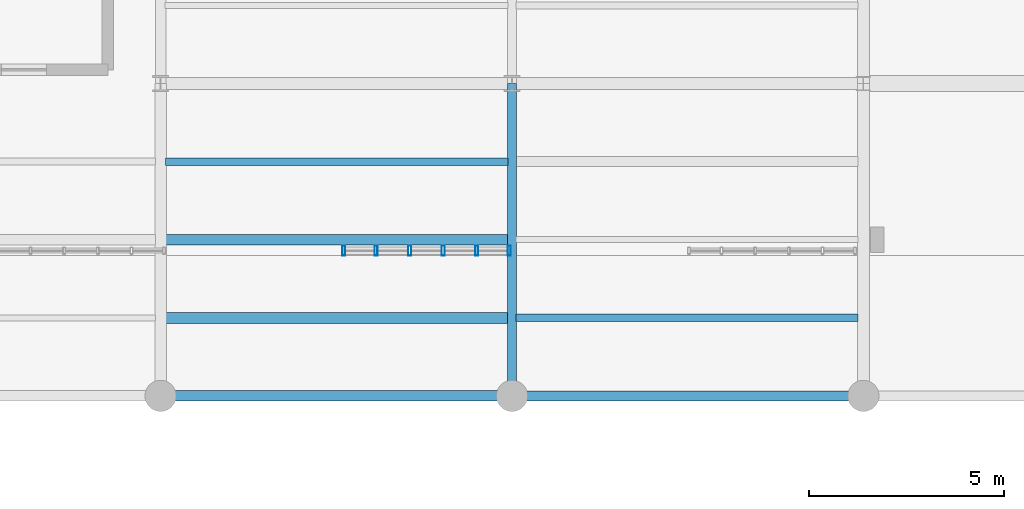
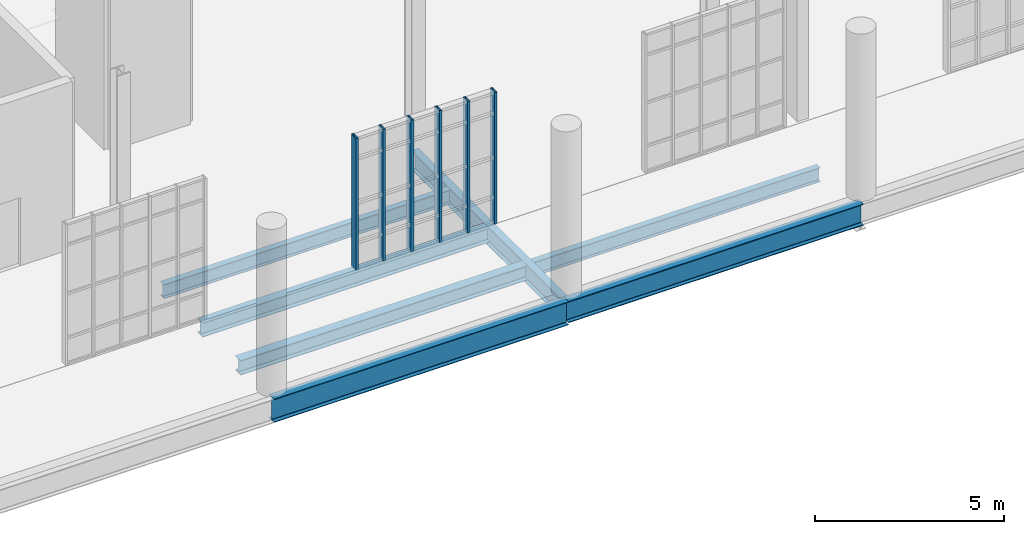
# One storey, part 103 of 189: 7 beams, 6 members, 1 element without a shape of its own.
"""IFC4 building model written with IfcOpenShell, lengths in metres."""

from ifc_helpers import new_model, si_unit, direction, frame, origin, origin_2d, place, context, subcontext, project, spatial, hollow_rectangle, i_section, extrude, material, layer, layer_set, material_profile, profile_set, type_object, element, aggregate, save


model = new_model("IFC4")

# Units and contexts
model_context = context("Model", 3, precision=1e-05, world=origin(), true_north=direction((0.0, 1.0)))
body_context = subcontext(model_context, "Body", "Model", "MODEL_VIEW")
ifc_project = project(units=[si_unit("LENGTHUNIT", "METRE"), si_unit("AREAUNIT", "SQUARE_METRE"), si_unit("VOLUMEUNIT", "CUBIC_METRE"), si_unit("PLANEANGLEUNIT", "RADIAN"), si_unit("MASSUNIT", "GRAM", prefix="KILO"), si_unit("THERMODYNAMICTEMPERATUREUNIT", "KELVIN"), si_unit("POWERUNIT", "WATT")], contexts=[model_context])

# Site, building, storey
site_placement = place(None, origin())
site = spatial("IfcSite", under=ifc_project, at=site_placement, CompositionType="ELEMENT")
building_placement = place(site_placement, origin())
building = spatial("IfcBuilding", under=site, at=building_placement, Name="Zelmaris Science Centre", CompositionType="ELEMENT")
storey_placement = place(building_placement, origin())
storey = spatial("IfcBuildingStorey", under=building, at=storey_placement, Name="L00", CompositionType="ELEMENT", Elevation=0.0)

# Curtain wall, members
ifc_material_1 = material(Name="Anodised architectural aluminium 6063-T6", Category="aluminium")
ifc_layer = layer(ifc_material_1, 0.18994140625, Name="Anodised architectural aluminium 6063-T6")
ifc_layer_set = layer_set([ifc_layer], Name="Anodised architectural aluminium 6063-T6")
curtain_wall_type = type_object("IfcCurtainWallType", Name="Curtain Wall CW-01", PredefinedType="USERDEFINED", material=ifc_layer_set)
curtain_wall_placement = place(storey_placement, origin())
curtain_wall = element("IfcCurtainWall", 1, at=curtain_wall_placement, inside=storey, type_object=curtain_wall_type, Name="L00 Unitised curtain wall 105", ObjectType="GLAZED CURTAIN WALL", PredefinedType="USERDEFINED")
ifc_material_profile_1 = material_profile(ifc_material_1, hollow_rectangle(XDim=0.080078125, YDim=0.25, WallThickness=0.0048828125, at=origin_2d()), Name="ALU-MUL-80X250")
ifc_profile_set_1 = profile_set([ifc_material_profile_1], Name="Anodised architectural aluminium 6063-T6")
member_type = type_object("IfcMemberType", Name="ALU-MUL-80X250", PredefinedType="MULLION", material=ifc_profile_set_1)
member_1_placement = place(storey_placement, frame((134.926513671875, 11.72021484375, -0.014892578125), z_axis=(0.0, 0.0, 1.0), x_axis=(-1.0, 0.0, 0.0)))
member_1 = element("IfcMember", 2, at=member_1_placement, type_object=member_type, Name="CW-01 mullion 1", PredefinedType="MULLION", context=body_context, shape_type="SweptSolid", body=[
    extrude(hollow_rectangle(XDim=0.080078125, YDim=0.25, WallThickness=0.0048828125, at=origin_2d()), origin(), (0.0, 0.0, 1.0), 4.2587890625),
])
member_2_placement = place(storey_placement, frame((134.101806640625, 11.72021484375, -0.014892578125), z_axis=(0.0, 0.0, 1.0), x_axis=(-1.0, 0.0, 0.0)))
member_2 = element("IfcMember", 3, at=member_2_placement, type_object=member_type, Name="CW-01 mullion 2", PredefinedType="MULLION", context=body_context, shape_type="SweptSolid", body=[
    extrude(hollow_rectangle(XDim=0.080078125, YDim=0.25, WallThickness=0.0048828125, at=origin_2d()), origin(), (0.0, 0.0, 1.0), 4.2587890625),
])
member_3_placement = place(storey_placement, frame((133.240966796875, 11.72021484375, -0.014892578125), z_axis=(0.0, 0.0, 1.0), x_axis=(-1.0, 0.0, 0.0)))
member_3 = element("IfcMember", 4, at=member_3_placement, type_object=member_type, Name="CW-01 mullion 3", PredefinedType="MULLION", context=body_context, shape_type="SweptSolid", body=[
    extrude(hollow_rectangle(XDim=0.080078125, YDim=0.25, WallThickness=0.0048828125, at=origin_2d()), origin(), (0.0, 0.0, 1.0), 4.2587890625),
])
member_4_placement = place(storey_placement, frame((132.38037109375, 11.72021484375, -0.014892578125), z_axis=(0.0, 0.0, 1.0), x_axis=(-1.0, 0.0, 0.0)))
member_4 = element("IfcMember", 5, at=member_4_placement, type_object=member_type, Name="CW-01 mullion 4", PredefinedType="MULLION", context=body_context, shape_type="SweptSolid", body=[
    extrude(hollow_rectangle(XDim=0.080078125, YDim=0.25, WallThickness=0.0048828125, at=origin_2d()), origin(), (0.0, 0.0, 1.0), 4.2587890625),
])
member_5_placement = place(storey_placement, frame((131.51953125, 11.72021484375, -0.014892578125), z_axis=(0.0, 0.0, 1.0), x_axis=(-1.0, 0.0, 0.0)))
member_5 = element("IfcMember", 6, at=member_5_placement, type_object=member_type, Name="CW-01 mullion 5", PredefinedType="MULLION", context=body_context, shape_type="SweptSolid", body=[
    extrude(hollow_rectangle(XDim=0.080078125, YDim=0.25, WallThickness=0.0048828125, at=origin_2d()), origin(), (0.0, 0.0, 1.0), 4.2587890625),
])
member_6_placement = place(storey_placement, frame((130.69482421875, 11.72021484375, -0.014892578125), z_axis=(0.0, 0.0, 1.0), x_axis=(-1.0, 0.0, 0.0)))
member_6 = element("IfcMember", 7, at=member_6_placement, type_object=member_type, Name="CW-01 mullion 6", PredefinedType="MULLION", context=body_context, shape_type="SweptSolid", body=[
    extrude(hollow_rectangle(XDim=0.080078125, YDim=0.25, WallThickness=0.0048828125, at=origin_2d()), origin(), (0.0, 0.0, 1.0), 4.2587890625),
])
aggregate(curtain_wall, [member_1, member_2, member_3, member_4, member_5, member_6])

# Beams
ifc_material_2 = material(Name="Steel ASTM A992 Grade 50", Category="steel")
ifc_material_profile_2 = material_profile(ifc_material_2, i_section(OverallWidth=0.26708984375, OverallDepth=0.757080078125, WebThickness=0.013916015625, FlangeThickness=0.019287109375, FilletRadius=0.01904296875, at=origin_2d()), Name="W30X108")
ifc_profile_set_2 = profile_set([ifc_material_profile_2], Name="Steel ASTM A992 Grade 50")
beam_type_1 = type_object("IfcBeamType", Name="Beam G-10 W30X108", PredefinedType="BEAM", material=ifc_profile_set_2)
beam_1_placement = place(storey_placement, frame((126.0, 8.0, -0.658447265625), z_axis=(1.0, 0.0, 0.0), x_axis=(0.0, 1.0, 0.0)))
element("IfcBeam", 8, at=beam_1_placement, inside=storey, type_object=beam_type_1, Name="L00 East-west girder 98", PredefinedType="BEAM", context=body_context, shape_type="SweptSolid", body=[
    extrude(i_section(OverallWidth=0.26708984375, OverallDepth=0.757080078125, WebThickness=0.013916015625, FlangeThickness=0.019287109375, FilletRadius=0.01904296875, at=origin_2d()), origin(), (0.0, 0.0, 1.0), 9.0),
])
ifc_material_profile_3 = material_profile(ifc_material_2, i_section(OverallWidth=0.257080078125, OverallDepth=0.693115234375, WebThickness=0.014404296875, FlangeThickness=0.023681640625, FilletRadius=0.01806640625, at=origin_2d()), Name="W27X114")
ifc_profile_set_3 = profile_set([ifc_material_profile_3], Name="Steel ASTM A992 Grade 50")
beam_type_2 = type_object("IfcBeamType", Name="Beam G-12 W27X114", PredefinedType="BEAM", material=ifc_profile_set_3)
beam_2_placement = place(storey_placement, frame((135.0, 8.0, -0.62646484375), z_axis=(1.0, 0.0, 0.0), x_axis=(0.0, 1.0, 0.0)))
element("IfcBeam", 9, at=beam_2_placement, inside=storey, type_object=beam_type_2, Name="L00 East-west girder 99", PredefinedType="BEAM", context=body_context, shape_type="SweptSolid", body=[
    extrude(i_section(OverallWidth=0.257080078125, OverallDepth=0.693115234375, WebThickness=0.014404296875, FlangeThickness=0.023681640625, FilletRadius=0.01806640625, at=origin_2d()), origin(), (0.0, 0.0, 1.0), 9.0),
])
ifc_material_profile_4 = material_profile(ifc_material_2, i_section(OverallWidth=0.22900390625, OverallDepth=0.612060546875, WebThickness=0.011962890625, FlangeThickness=0.01953125, FilletRadius=0.014892578125, at=origin_2d()), Name="W24X84")
ifc_profile_set_4 = profile_set([ifc_material_profile_4], Name="Steel ASTM A992 Grade 50")
beam_type_3 = type_object("IfcBeamType", Name="Beam G-16 W24X84", PredefinedType="BEAM", material=ifc_profile_set_4)
beam_3_placement = place(storey_placement, frame((135.0, 8.0, -0.595947265625), z_axis=(0.0, 1.0, 0.0), x_axis=(-1.0, 0.0, 0.0)))
element("IfcBeam", 10, at=beam_3_placement, inside=storey, type_object=beam_type_3, Name="L00 North-south girder 71", PredefinedType="BEAM", context=body_context, shape_type="SweptSolid", body=[
    extrude(i_section(OverallWidth=0.22900390625, OverallDepth=0.612060546875, WebThickness=0.011962890625, FlangeThickness=0.01953125, FilletRadius=0.014892578125, at=origin_2d()), origin(), (0.0, 0.0, 1.0), 8.0),
])
ifc_material_profile_5 = material_profile(ifc_material_2, i_section(OverallWidth=0.281982421875, OverallDepth=0.471923828125, WebThickness=0.013671875, FlangeThickness=0.022216796875, FilletRadius=0.012939453125, at=origin_2d()), Name="W18X97")
ifc_profile_set_5 = profile_set([ifc_material_profile_5], Name="Steel ASTM A992 Grade 50")
beam_type_4 = type_object("IfcBeamType", Name="Beam J-02 W18X97", PredefinedType="JOIST", material=ifc_profile_set_5)
beam_4_placement = place(storey_placement, frame((126.131103515625, 10.0, -0.52587890625), z_axis=(1.0, 0.0, 0.0), x_axis=(0.0, 1.0, 0.0)))
element("IfcBeam", 11, at=beam_4_placement, inside=storey, type_object=beam_type_4, Name="L00 Composite floor joist 91", PredefinedType="JOIST", context=body_context, shape_type="SweptSolid", body=[
    extrude(i_section(OverallWidth=0.281982421875, OverallDepth=0.471923828125, WebThickness=0.013671875, FlangeThickness=0.022216796875, FilletRadius=0.012939453125, at=origin_2d()), origin(), (0.0, 0.0, 1.0), 8.769287109375),
])
ifc_material_profile_6 = material_profile(ifc_material_2, i_section(OverallWidth=0.279052734375, OverallDepth=0.4619140625, WebThickness=0.0107421875, FlangeThickness=0.017333984375, FilletRadius=0.012939453125, at=origin_2d()), Name="W18X76")
ifc_profile_set_6 = profile_set([ifc_material_profile_6], Name="Steel ASTM A992 Grade 50")
beam_type_5 = type_object("IfcBeamType", Name="Beam J-03 W18X76", PredefinedType="JOIST", material=ifc_profile_set_6)
beam_5_placement = place(storey_placement, frame((126.131103515625, 12.0, -0.52099609375), z_axis=(1.0, 0.0, 0.0), x_axis=(0.0, 1.0, 0.0)))
element("IfcBeam", 12, at=beam_5_placement, inside=storey, type_object=beam_type_5, Name="L00 Composite floor joist 92", PredefinedType="JOIST", context=body_context, shape_type="SweptSolid", body=[
    extrude(i_section(OverallWidth=0.279052734375, OverallDepth=0.4619140625, WebThickness=0.0107421875, FlangeThickness=0.017333984375, FilletRadius=0.012939453125, at=origin_2d()), origin(), (0.0, 0.0, 1.0), 8.769287109375),
])
ifc_material_profile_7 = material_profile(ifc_material_2, i_section(OverallWidth=0.19091796875, OverallDepth=0.4599609375, WebThickness=0.010009765625, FlangeThickness=0.01611328125, FilletRadius=0.012939453125, at=origin_2d()), Name="W18X55")
ifc_profile_set_7 = profile_set([ifc_material_profile_7], Name="Steel ASTM A992 Grade 50")
beam_type_6 = type_object("IfcBeamType", Name="Beam J-04 W18X55", PredefinedType="JOIST", material=ifc_profile_set_7)
beam_6_placement = place(storey_placement, frame((126.131103515625, 14.0, -0.52001953125), z_axis=(1.0, 0.0, 0.0), x_axis=(0.0, 1.0, 0.0)))
element("IfcBeam", 13, at=beam_6_placement, inside=storey, type_object=beam_type_6, Name="L00 Composite floor joist 93", PredefinedType="JOIST", context=body_context, shape_type="SweptSolid", body=[
    extrude(i_section(OverallWidth=0.19091796875, OverallDepth=0.4599609375, WebThickness=0.010009765625, FlangeThickness=0.01611328125, FilletRadius=0.012939453125, at=origin_2d()), origin(), (0.0, 0.0, 1.0), 8.769287109375),
])
beam_7_placement = place(storey_placement, frame((135.099609375, 10.0, -0.52001953125), z_axis=(1.0, 0.0, 0.0), x_axis=(0.0, 1.0, 0.0)))
element("IfcBeam", 14, at=beam_7_placement, inside=storey, type_object=beam_type_6, Name="L00 Composite floor joist 102", PredefinedType="JOIST", context=body_context, shape_type="SweptSolid", body=[
    extrude(i_section(OverallWidth=0.19091796875, OverallDepth=0.4599609375, WebThickness=0.010009765625, FlangeThickness=0.01611328125, FilletRadius=0.012939453125, at=origin_2d()), origin(), (0.0, 0.0, 1.0), 8.762939453125),
])

save(model, "model.ifc")
